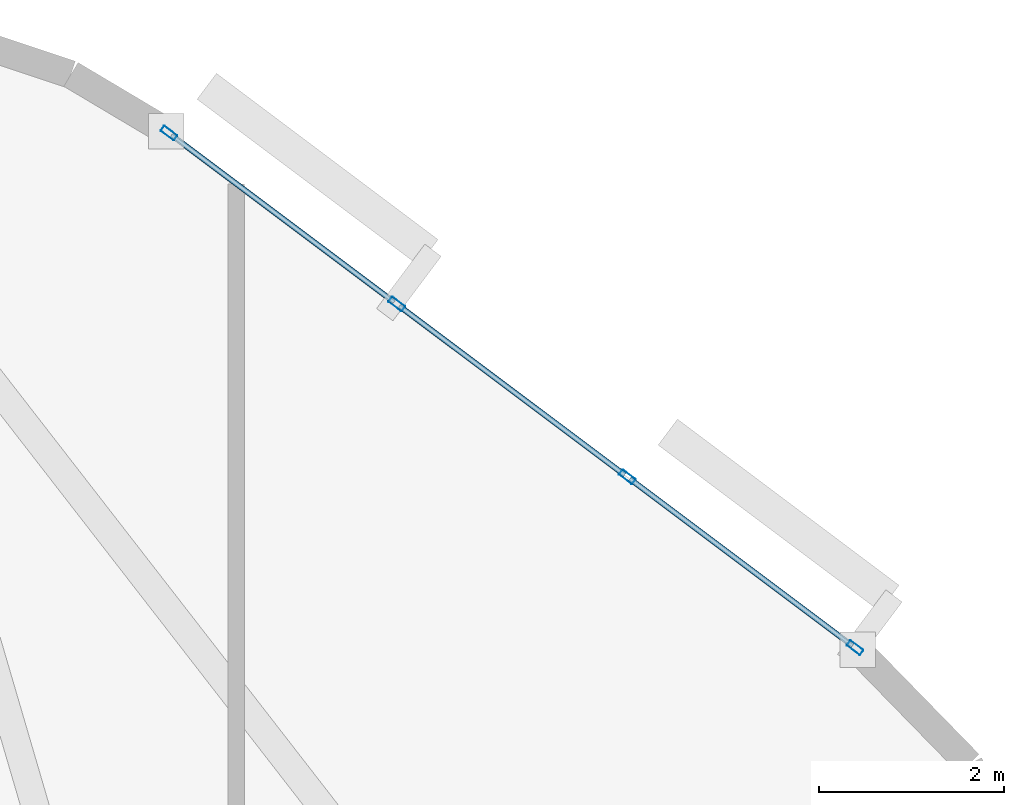
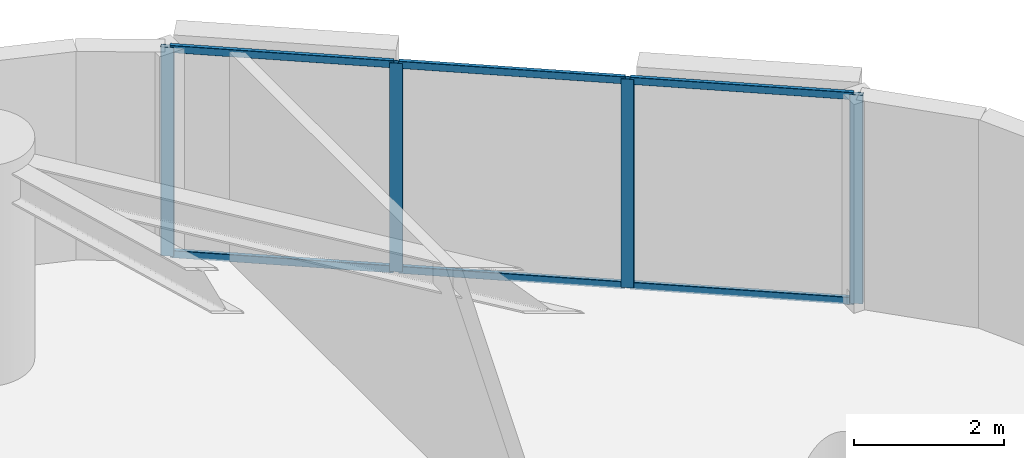
# One storey, part 8 of 16: 10 members, 1 element without a shape of its own.
"""IFC4 building model written with IfcOpenShell, lengths in metres."""

from ifc_helpers import new_model, si_unit, direction, frame, origin, origin_2d, place, context, subcontext, project, spatial, hollow_rectangle, extrude, material, layer, layer_set, material_profile, profile_set, type_object, element, aggregate, save


model = new_model("IFC4")

# Units and contexts
model_context = context("Model", 3, precision=1e-05, world=origin(), true_north=direction((0.0, 1.0)))
body_context = subcontext(model_context, "Body", "Model", "MODEL_VIEW")
ifc_project = project(units=[si_unit("LENGTHUNIT", "METRE"), si_unit("AREAUNIT", "SQUARE_METRE"), si_unit("VOLUMEUNIT", "CUBIC_METRE"), si_unit("PLANEANGLEUNIT", "RADIAN"), si_unit("MASSUNIT", "GRAM", prefix="KILO")], contexts=[model_context])

# Site, building, storey
site_placement = place(None, origin())
site = spatial("IfcSite", under=ifc_project, at=site_placement, CompositionType="ELEMENT")
building_placement = place(site_placement, origin())
building = spatial("IfcBuilding", under=site, at=building_placement, Name="An Khanh Terracotta Commons", CompositionType="ELEMENT")
storey_placement = place(building_placement, frame((0.0, 0.0, 100.699951171875)))
storey = spatial("IfcBuildingStorey", under=building, at=storey_placement, Name="L26", CompositionType="ELEMENT", Elevation=100.699951171875)

# Curtain wall, members
ifc_material = material(Name="Anodised Aluminium 6063-T6", Category="aluminium")
ifc_layer = layer(ifc_material, 0.199951171875, Name="Anodised Aluminium 6063-T6")
ifc_layer_set = layer_set([ifc_layer], Name="Anodised Aluminium 6063-T6")
curtain_wall_type = type_object("IfcCurtainWallType", Name="CW-SYS-02", PredefinedType="USERDEFINED", material=ifc_layer_set)
curtain_wall_placement = place(storey_placement, origin())
curtain_wall = element("IfcCurtainWall", 1, at=curtain_wall_placement, inside=storey, type_object=curtain_wall_type, Name="L26 CW-02 Unitised Curtain Wall CW-L26-16", ObjectType="UNITISED CURTAIN WALL", PredefinedType="USERDEFINED")
ifc_material_profile_1 = material_profile(ifc_material, hollow_rectangle(XDim=0.070068359375, YDim=0.179931640625, WallThickness=0.00390625, InnerFilletRadius=0.00390625, OuterFilletRadius=0.008056640625, at=origin_2d()), Name="RHS180x70x4")
ifc_profile_set_1 = profile_set([ifc_material_profile_1], Name="Anodised Aluminium 6063-T6")
member_type_1 = type_object("IfcMemberType", Name="CWM-RHS180x70x4", PredefinedType="MULLION", material=ifc_profile_set_1)
member_1_placement = place(storey_placement, frame((55.132080078125, 37.10107421875, 0.0), z_axis=(0.0, 0.0, 1.0), x_axis=(-0.599982857492, -0.800012856594, 0.0)))
member_1 = element("IfcMember", 2, at=member_1_placement, type_object=member_type_1, Name="CW-02 mullion 1", PredefinedType="MULLION", context=body_context, shape_type="SweptSolid", body=[
    extrude(hollow_rectangle(XDim=0.070068359375, YDim=0.179931640625, WallThickness=0.00390625, InnerFilletRadius=0.00390625, OuterFilletRadius=0.008056640625, at=origin_2d()), origin(), (0.0, 0.0, 1.0), 3.400146484375),
])
member_2_placement = place(storey_placement, frame((52.6708984375, 38.94677734375, 0.0), z_axis=(0.0, 0.0, 1.0), x_axis=(-0.599982857492, -0.800012856594, 0.0)))
member_2 = element("IfcMember", 3, at=member_2_placement, type_object=member_type_1, Name="CW-02 mullion 2", PredefinedType="MULLION", context=body_context, shape_type="SweptSolid", body=[
    extrude(hollow_rectangle(XDim=0.070068359375, YDim=0.179931640625, WallThickness=0.00390625, InnerFilletRadius=0.00390625, OuterFilletRadius=0.008056640625, at=origin_2d()), origin(), (0.0, 0.0, 1.0), 3.400146484375),
])
member_3_placement = place(storey_placement, frame((50.181884765625, 40.813232421875, 0.0), z_axis=(0.0, 0.0, 1.0), x_axis=(-0.599982857492, -0.800012856594, 0.0)))
member_3 = element("IfcMember", 4, at=member_3_placement, type_object=member_type_1, Name="CW-02 mullion 3", PredefinedType="MULLION", context=body_context, shape_type="SweptSolid", body=[
    extrude(hollow_rectangle(XDim=0.070068359375, YDim=0.179931640625, WallThickness=0.00390625, InnerFilletRadius=0.00390625, OuterFilletRadius=0.008056640625, at=origin_2d()), origin(), (0.0, 0.0, 1.0), 3.400146484375),
])
member_4_placement = place(storey_placement, frame((47.720947265625, 42.658935546875, 0.0), z_axis=(0.0, 0.0, 1.0), x_axis=(-0.599982857492, -0.800012856594, 0.0)))
member_4 = element("IfcMember", 5, at=member_4_placement, type_object=member_type_1, Name="CW-02 mullion 4", PredefinedType="MULLION", context=body_context, shape_type="SweptSolid", body=[
    extrude(hollow_rectangle(XDim=0.070068359375, YDim=0.179931640625, WallThickness=0.00390625, InnerFilletRadius=0.00390625, OuterFilletRadius=0.008056640625, at=origin_2d()), origin(), (0.0, 0.0, 1.0), 3.400146484375),
])
ifc_material_profile_2 = material_profile(ifc_material, hollow_rectangle(XDim=0.06005859375, YDim=0.1201171875, WallThickness=0.003662109375, InnerFilletRadius=0.003662109375, OuterFilletRadius=0.007080078125, at=origin_2d()), Name="RHS120x60x3.6")
ifc_profile_set_2 = profile_set([ifc_material_profile_2], Name="Anodised Aluminium 6063-T6")
member_type_2 = type_object("IfcMemberType", Name="CWT-RHS120x60x3.6", PredefinedType="USERDEFINED", material=ifc_profile_set_2)
member_5_placement = place(storey_placement, frame((55.10400390625, 37.1220703125, 0.030029296875), z_axis=(-0.800009745217, 0.599987006158, 0.0), x_axis=(-0.599987006158, -0.800009745217, 0.0)))
member_5 = element("IfcMember", 6, at=member_5_placement, type_object=member_type_2, Name="CW-02 transom 1.1", ObjectType="TRANSOM", PredefinedType="USERDEFINED", context=body_context, shape_type="SweptSolid", body=[
    extrude(hollow_rectangle(XDim=0.06005859375, YDim=0.1201171875, WallThickness=0.003662109375, InnerFilletRadius=0.003662109375, OuterFilletRadius=0.007080078125, at=origin_2d()), origin(), (0.0, 0.0, 1.0), 3.00634765625),
])
member_6_placement = place(storey_placement, frame((55.10400390625, 37.1220703125, 3.3701171875), z_axis=(-0.800009745217, 0.599987006158, 0.0), x_axis=(-0.599987006158, -0.800009745217, 0.0)))
member_6 = element("IfcMember", 7, at=member_6_placement, type_object=member_type_2, Name="CW-02 transom 1.2", ObjectType="TRANSOM", PredefinedType="USERDEFINED", context=body_context, shape_type="SweptSolid", body=[
    extrude(hollow_rectangle(XDim=0.06005859375, YDim=0.1201171875, WallThickness=0.003662109375, InnerFilletRadius=0.003662109375, OuterFilletRadius=0.007080078125, at=origin_2d()), origin(), (0.0, 0.0, 1.0), 3.00634765625),
])
member_7_placement = place(storey_placement, frame((52.64306640625, 38.9677734375, 0.030029296875), z_axis=(-0.800057796972, 0.599922929638, 0.0), x_axis=(-0.599922929638, -0.800057796972, 0.0)))
member_7 = element("IfcMember", 8, at=member_7_placement, type_object=member_type_2, Name="CW-02 transom 2.1", ObjectType="TRANSOM", PredefinedType="USERDEFINED", context=body_context, shape_type="SweptSolid", body=[
    extrude(hollow_rectangle(XDim=0.06005859375, YDim=0.1201171875, WallThickness=0.003662109375, InnerFilletRadius=0.003662109375, OuterFilletRadius=0.007080078125, at=origin_2d()), origin(), (0.0, 0.0, 1.0), 3.041259765625),
])
member_8_placement = place(storey_placement, frame((52.64306640625, 38.9677734375, 3.3701171875), z_axis=(-0.800057796972, 0.599922929638, 0.0), x_axis=(-0.599922929638, -0.800057796972, 0.0)))
member_8 = element("IfcMember", 9, at=member_8_placement, type_object=member_type_2, Name="CW-02 transom 2.2", ObjectType="TRANSOM", PredefinedType="USERDEFINED", context=body_context, shape_type="SweptSolid", body=[
    extrude(hollow_rectangle(XDim=0.06005859375, YDim=0.1201171875, WallThickness=0.003662109375, InnerFilletRadius=0.003662109375, OuterFilletRadius=0.007080078125, at=origin_2d()), origin(), (0.0, 0.0, 1.0), 3.041259765625),
])
member_9_placement = place(storey_placement, frame((50.154052734375, 40.834228515625, 0.030029296875), z_axis=(-0.800009745217, 0.599987006158, 0.0), x_axis=(-0.599987006158, -0.800009745217, 0.0)))
member_9 = element("IfcMember", 10, at=member_9_placement, type_object=member_type_2, Name="CW-02 transom 3.1", ObjectType="TRANSOM", PredefinedType="USERDEFINED", context=body_context, shape_type="SweptSolid", body=[
    extrude(hollow_rectangle(XDim=0.06005859375, YDim=0.1201171875, WallThickness=0.003662109375, InnerFilletRadius=0.003662109375, OuterFilletRadius=0.007080078125, at=origin_2d()), origin(), (0.0, 0.0, 1.0), 3.00634765625),
])
member_10_placement = place(storey_placement, frame((50.154052734375, 40.834228515625, 3.3701171875), z_axis=(-0.800009745217, 0.599987006158, 0.0), x_axis=(-0.599987006158, -0.800009745217, 0.0)))
member_10 = element("IfcMember", 11, at=member_10_placement, type_object=member_type_2, Name="CW-02 transom 3.2", ObjectType="TRANSOM", PredefinedType="USERDEFINED", context=body_context, shape_type="SweptSolid", body=[
    extrude(hollow_rectangle(XDim=0.06005859375, YDim=0.1201171875, WallThickness=0.003662109375, InnerFilletRadius=0.003662109375, OuterFilletRadius=0.007080078125, at=origin_2d()), origin(), (0.0, 0.0, 1.0), 3.00634765625),
])
aggregate(curtain_wall, [member_1, member_2, member_3, member_4, member_5, member_6, member_7, member_8, member_9, member_10])

save(model, "model.ifc")
